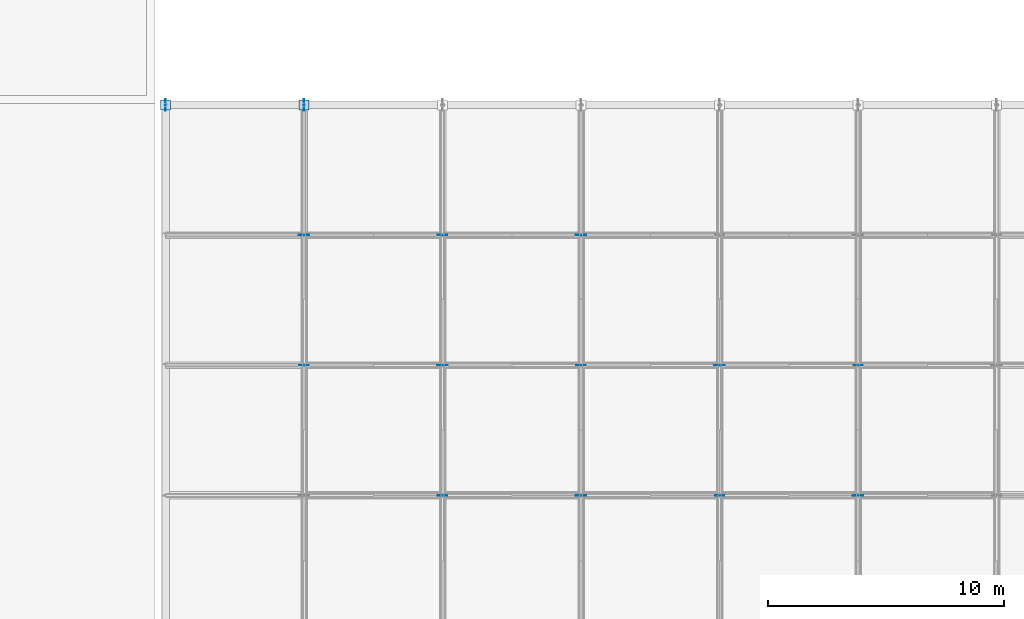
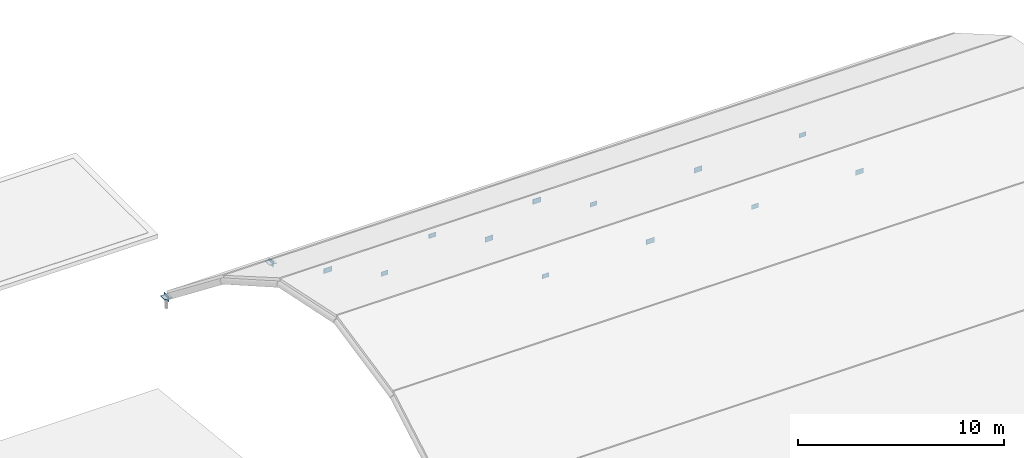
# One storey, part 79 of 82: 16 plates.
"""IFC4 building model written with IfcOpenShell, lengths in metres."""

from ifc_helpers import new_model, si_unit, direction, frame, origin, origin_2d, place, context, subcontext, project, spatial, rectangle, extrude, material, layer, layer_set, type_object, element, save


model = new_model("IFC4")

# Units and contexts
model_context = context("Model", 3, precision=1e-05, world=origin(), true_north=direction((0.0, 1.0)))
body_context = subcontext(model_context, "Body", "Model", "MODEL_VIEW")
ifc_project = project(units=[si_unit("LENGTHUNIT", "METRE"), si_unit("AREAUNIT", "SQUARE_METRE"), si_unit("VOLUMEUNIT", "CUBIC_METRE"), si_unit("PLANEANGLEUNIT", "RADIAN"), si_unit("MASSUNIT", "GRAM", prefix="KILO")], contexts=[model_context])

# Site, building, storey
site_placement = place(None, origin())
site = spatial("IfcSite", under=ifc_project, at=site_placement, CompositionType="ELEMENT")
building_placement = place(site_placement, origin())
building = spatial("IfcBuilding", under=site, at=building_placement, Name="Bramfleet General Hospital", CompositionType="ELEMENT")
storey_placement = place(building_placement, frame((0.0, 0.0, 34.199951171875)))
storey = spatial("IfcBuildingStorey", under=building, at=storey_placement, Name="Roof", CompositionType="ELEMENT", Elevation=34.199951171875)

# Plates
ifc_material = material(Name="Steel S355", Category="steel")
ifc_layer_1 = layer(ifc_material, 0.02490234375, Name="PL-BP-420")
ifc_layer_set_1 = layer_set([ifc_layer_1], Name="Steel S355")
plate_type_1 = type_object("IfcPlateType", Name="PL-BP-420", PredefinedType="USERDEFINED", material=ifc_layer_set_1)
for number, where, z_axis, x_axis, name in (
    (1, (50.85009765625, 50.35009765625, -19.449951171875), (0.0, 0.0, 1.0), (1.0, 0.0, 0.0), "Space Frame Bearing Base Plate 0-6"),
    (2, (56.721435546875, 50.35009765625, -19.449951171875), (0.0, 0.0, 1.0), (1.0, 0.0, 0.0), "Space Frame Bearing Base Plate 1-6"),
):
    element("IfcPlate", number, at=place(storey_placement, frame(where, z_axis=z_axis, x_axis=x_axis)), inside=storey, type_object=plate_type_1, Name=name, ObjectType="Base plate", PredefinedType="USERDEFINED", context=body_context, shape_type="SweptSolid", body=[
        extrude(rectangle(XDim=0.419921875, YDim=0.419921875, at=origin_2d()), origin(), (0.0, 0.0, 1.0), 0.02490234375),
    ])
ifc_layer_2 = layer(ifc_material, 0.01806640625, Name="PL-GP-480")
ifc_layer_set_2 = layer_set([ifc_layer_2], Name="Steel S355")
plate_type_2 = type_object("IfcPlateType", Name="PL-GP-480", PredefinedType="USERDEFINED", material=ifc_layer_set_2)
for number, where, z_axis, x_axis, name in (
    (3, (50.85009765625, 50.35009765625, -19.60986328125), (0.0, 0.0, 1.0), (0.0, 1.0, 0.0), "Space Frame Arch Gusset Plate 0-6"),
    (4, (56.721435546875, 50.35009765625, -19.60986328125), (0.0, 0.0, 1.0), (0.0, 1.0, 0.0), "Space Frame Arch Gusset Plate 1-6"),
):
    element("IfcPlate", number, at=place(storey_placement, frame(where, z_axis=z_axis, x_axis=x_axis)), inside=storey, type_object=plate_type_2, Name=name, ObjectType="Gusset plate", PredefinedType="USERDEFINED", context=body_context, shape_type="SweptSolid", body=[
        extrude(rectangle(XDim=0.47998046875, YDim=0.01806640625, at=origin_2d()), origin(), (0.0, 0.0, 1.0), 0.320068359375),
    ])
ifc_layer_3 = layer(ifc_material, 0.013916015625, Name="PL-SP-390")
ifc_layer_set_3 = layer_set([ifc_layer_3], Name="Steel S355")
plate_type_3 = type_object("IfcPlateType", Name="PL-SP-390", PredefinedType="SHEET", material=ifc_layer_set_3)
for number, where, z_axis, x_axis, name in (
    (5, (56.721435546875, 39.316650390625, -13.5322265625), (0.0, 0.0, 1.0), (1.0, 0.0, 0.0), "Space Frame Node Splice Plate 1-4"),
    (6, (62.5927734375, 33.800048828125, -12.3798828125), (0.0, 0.0, 1.0), (1.0, 0.0, 0.0), "Space Frame Node Splice Plate 2-3"),
    (7, (62.5927734375, 44.833251953125, -16.68017578125), (0.0, 0.0, 1.0), (1.0, 0.0, 0.0), "Space Frame Node Splice Plate 2-5"),
    (8, (68.46435546875, 39.316650390625, -13.5322265625), (0.0, 0.0, 1.0), (1.0, 0.0, 0.0), "Space Frame Node Splice Plate 3-4"),
    (9, (74.335693359375, 33.800048828125, -12.3798828125), (0.0, 0.0, 1.0), (1.0, 0.0, 0.0), "Space Frame Node Splice Plate 4-3"),
    (10, (80.20703125, 39.316650390625, -13.5322265625), (0.0, 0.0, 1.0), (1.0, 0.0, 0.0), "Space Frame Node Splice Plate 5-4"),
):
    element("IfcPlate", number, at=place(storey_placement, frame(where, z_axis=z_axis, x_axis=x_axis)), inside=storey, type_object=plate_type_3, Name=name, PredefinedType="SHEET", context=body_context, shape_type="SweptSolid", body=[
        extrude(rectangle(XDim=0.389892578125, YDim=0.013916015625, at=origin_2d()), origin(), (0.0, 0.0, 1.0), 0.260009765625),
    ])
ifc_layer_4 = layer(ifc_material, 0.01611328125, Name="PL-SP-450")
ifc_layer_set_4 = layer_set([ifc_layer_4], Name="Steel S355")
plate_type_4 = type_object("IfcPlateType", Name="PL-SP-450", PredefinedType="SHEET", material=ifc_layer_set_4)
for number, where, z_axis, x_axis, name in (
    (11, (56.721435546875, 44.833251953125, -16.7001953125), (0.0, 0.0, 1.0), (1.0, 0.0, 0.0), "Space Frame Node Splice Plate 1-5"),
    (12, (62.5927734375, 39.316650390625, -13.55224609375), (0.0, 0.0, 1.0), (1.0, 0.0, 0.0), "Space Frame Node Splice Plate 2-4"),
    (13, (68.46435546875, 33.800048828125, -12.39990234375), (0.0, 0.0, 1.0), (1.0, 0.0, 0.0), "Space Frame Node Splice Plate 3-3"),
    (14, (68.46435546875, 44.833251953125, -16.7001953125), (0.0, 0.0, 1.0), (1.0, 0.0, 0.0), "Space Frame Node Splice Plate 3-5"),
    (15, (74.335693359375, 39.316650390625, -13.55224609375), (0.0, 0.0, 1.0), (1.0, 0.0, 0.0), "Space Frame Node Splice Plate 4-4"),
    (16, (80.20703125, 33.800048828125, -12.39990234375), (0.0, 0.0, 1.0), (1.0, 0.0, 0.0), "Space Frame Node Splice Plate 5-3"),
):
    element("IfcPlate", number, at=place(storey_placement, frame(where, z_axis=z_axis, x_axis=x_axis)), inside=storey, type_object=plate_type_4, Name=name, PredefinedType="SHEET", context=body_context, shape_type="SweptSolid", body=[
        extrude(rectangle(XDim=0.449951171875, YDim=0.01611328125, at=origin_2d()), origin(), (0.0, 0.0, 1.0), 0.300048828125),
    ])

save(model, "model.ifc")
